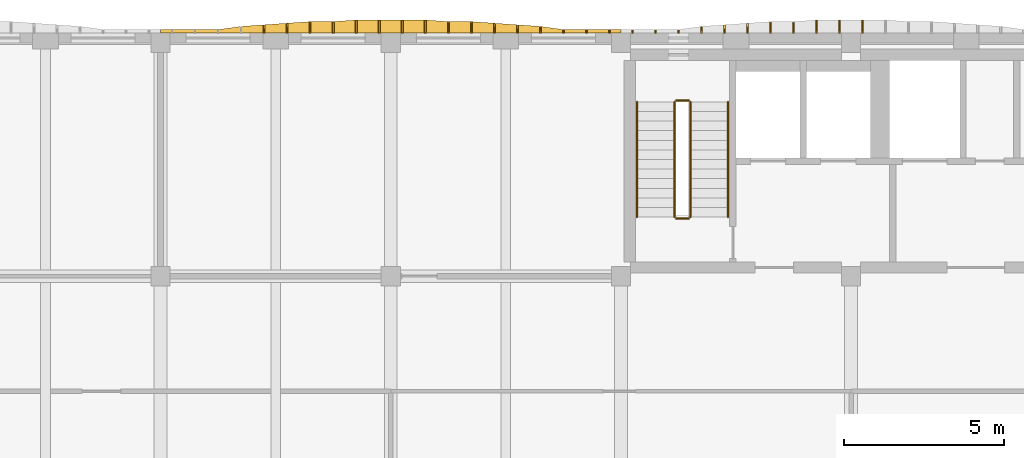
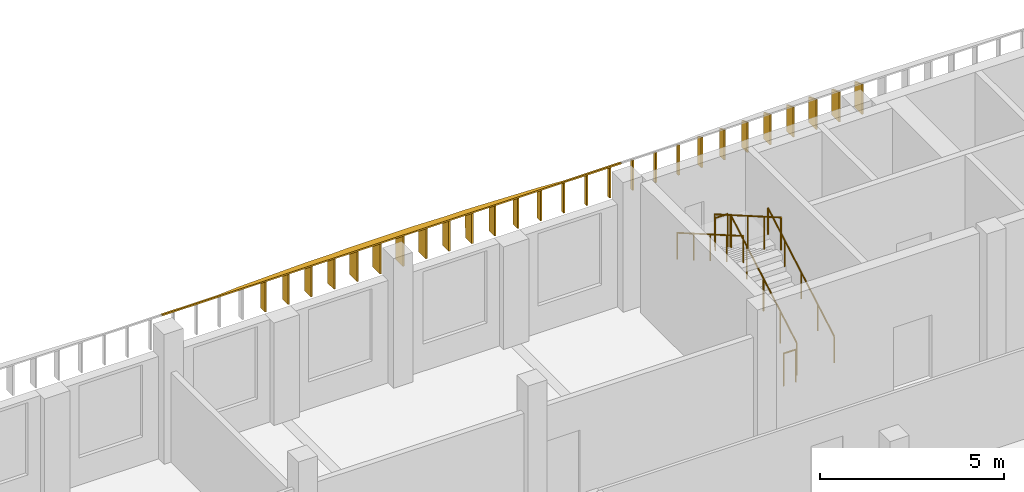
# One storey, part 30 of 38: 28 shading devices, 6 railings.
"""IFC4 building model written with IfcOpenShell, lengths in metres."""

from ifc_helpers import new_model, si_unit, direction, frame, origin, origin_2d, place, context, subcontext, project, spatial, polyline, circle, outline, extrude, material, layer, layer_set, type_object, element, save


model = new_model("IFC4")

# Units and contexts
model_context = context("Model", 3, precision=1e-05, world=origin(), true_north=direction((0.0, 1.0)))
body_context = subcontext(model_context, "Body", "Model", "MODEL_VIEW")
ifc_project = project(units=[si_unit("LENGTHUNIT", "METRE"), si_unit("AREAUNIT", "SQUARE_METRE"), si_unit("VOLUMEUNIT", "CUBIC_METRE"), si_unit("PLANEANGLEUNIT", "RADIAN"), si_unit("MASSUNIT", "GRAM", prefix="KILO")], contexts=[model_context])

# Site, building, storey
site_placement = place(None, origin())
site = spatial("IfcSite", under=ifc_project, at=site_placement, CompositionType="ELEMENT")
building_placement = place(site_placement, origin())
building = spatial("IfcBuilding", under=site, at=building_placement, Name="Ussher Court Research Institute", CompositionType="ELEMENT")
storey_placement = place(building_placement, frame((0.0, 0.0, 23.39990234375)))
storey = spatial("IfcBuildingStorey", under=building, at=storey_placement, Name="L05", CompositionType="ELEMENT", Elevation=23.39990234375)

# Shading devices
ifc_material_1 = material(Name="Bronze anodised aluminium", Category="aluminium")
ifc_layer_1 = layer(ifc_material_1, 0.050048828125)
ifc_layer_set_1 = layer_set([ifc_layer_1], Name="Bronze anodised aluminium")
shading_device_type_1 = type_object("IfcShadingDeviceType", Name="Brim blade 100 mm deep 1000 mm high canted 20 deg dry", PredefinedType="USERDEFINED", material=ifc_layer_set_1)
for number, where, z_axis, x_axis, name in (
    (1, (44.39990234375, 90.800048828125, 3.4501953125), (0.0, 0.0, 1.0), (0.0, 1.0, 0.0), "Brim blade BS17 L05"),
    (2, (45.1201171875, 90.800048828125, 3.4501953125), (0.0, 0.0, 1.0), (0.0, 1.0, 0.0), "Brim blade BS17 L05"),
    (3, (45.840087890625, 90.800048828125, 3.4501953125), (0.0, 0.0, 1.0), (0.0, 1.0, 0.0), "Brim blade BS17 L05"),
    (4, (46.56005859375, 90.800048828125, 3.4501953125), (0.0, 0.0, 1.0), (0.0, 1.0, 0.0), "Brim blade BS17 L05"),
    (5, (47.280029296875, 90.800048828125, 3.4501953125), (0.0, 0.0, 1.0), (0.0, 1.0, 0.0), "Brim blade BS17 L05"),
    (6, (48.0, 90.800048828125, 3.4501953125), (0.0, 0.0, 1.0), (0.0, 1.0, 0.0), "Brim blade BS17 L05"),
):
    element("IfcShadingDevice", number, at=place(storey_placement, frame(where, z_axis=z_axis, x_axis=x_axis)), inside=storey, type_object=shading_device_type_1, Name=name, ObjectType="BLADE", PredefinedType="USERDEFINED", context=body_context, shape_type="SweptSolid", body=[
        extrude(outline(polyline([(0.0, 0.0), (0.099853515625, 0.0), (0.10009765625, 0.963623046875), (0.0, 1.0), (0.0, 0.0)])), frame((0.0, 0.02490234375, 0.0), z_axis=(0.0, -1.0, 0.0), x_axis=(1.0, 0.0, 0.0)), (0.0, 0.0, 1.0), 0.050048828125),
    ])
ifc_material_2 = material(Name="Bronze anodised aluminium", Category="aluminium")
ifc_layer_2 = layer(ifc_material_2, 0.050048828125)
ifc_layer_set_2 = layer_set([ifc_layer_2], Name="Bronze anodised aluminium")
shading_device_type_2 = type_object("IfcShadingDeviceType", Name="Brim blade 200 mm deep 1000 mm high canted 20 deg dry", PredefinedType="USERDEFINED", material=ifc_layer_set_2)
for number, where, z_axis, x_axis, name in (
    (7, (43.679931640625, 90.800048828125, 3.4501953125), (0.0, 0.0, 1.0), (0.0, 1.0, 0.0), "Brim blade BS15 L05"),
    (8, (48.719970703125, 90.800048828125, 3.4501953125), (0.0, 0.0, 1.0), (0.0, 1.0, 0.0), "Brim blade BS15 L05"),
):
    element("IfcShadingDevice", number, at=place(storey_placement, frame(where, z_axis=z_axis, x_axis=x_axis)), inside=storey, type_object=shading_device_type_2, Name=name, ObjectType="BLADE", PredefinedType="USERDEFINED", context=body_context, shape_type="SweptSolid", body=[
        extrude(outline(polyline([(0.0, 0.0), (0.199951171875, 0.0), (0.199951171875, 0.927001953125), (0.0, 1.0), (0.0, 0.0)])), frame((0.0, 0.02490234375, 0.0), z_axis=(0.0, -1.0, 0.0), x_axis=(1.0, 0.0, 0.0)), (0.0, 0.0, 1.0), 0.050048828125),
    ])
ifc_material_3 = material(Name="Bronze anodised aluminium", Category="aluminium")
ifc_layer_3 = layer(ifc_material_3, 0.050048828125)
ifc_layer_set_3 = layer_set([ifc_layer_3], Name="Bronze anodised aluminium")
shading_device_type_3 = type_object("IfcShadingDeviceType", Name="Brim blade 250 mm deep 1000 mm high canted 20 deg dry", PredefinedType="USERDEFINED", material=ifc_layer_set_3)
for number, where, z_axis, x_axis, name in (
    (9, (35.0400390625, 90.800048828125, 3.4501953125), (0.0, 0.0, 1.0), (0.0, 1.0, 0.0), "Brim blade BS14 L05"),
    (10, (42.9599609375, 90.800048828125, 3.4501953125), (0.0, 0.0, 1.0), (0.0, 1.0, 0.0), "Brim blade BS14 L05"),
    (11, (49.43994140625, 90.800048828125, 3.4501953125), (0.0, 0.0, 1.0), (0.0, 1.0, 0.0), "Brim blade BS14 L05"),
):
    element("IfcShadingDevice", number, at=place(storey_placement, frame(where, z_axis=z_axis, x_axis=x_axis)), inside=storey, type_object=shading_device_type_3, Name=name, ObjectType="BLADE", PredefinedType="USERDEFINED", context=body_context, shape_type="SweptSolid", body=[
        extrude(outline(polyline([(0.0, 0.0), (0.25, 0.0), (0.25, 0.908935546875), (0.0, 1.0), (0.0, 0.0)])), frame((0.0, 0.02490234375, 0.0), z_axis=(0.0, -1.0, 0.0), x_axis=(1.0, 0.0, 0.0)), (0.0, 0.0, 1.0), 0.050048828125),
    ])
ifc_material_4 = material(Name="Bronze anodised aluminium", Category="aluminium")
ifc_layer_4 = layer(ifc_material_4, 0.050048828125)
ifc_layer_set_4 = layer_set([ifc_layer_4], Name="Bronze anodised aluminium")
shading_device_type_4 = type_object("IfcShadingDeviceType", Name="Brim blade 300 mm deep 1000 mm high canted 20 deg dry", PredefinedType="USERDEFINED", material=ifc_layer_set_4)
for number, where, z_axis, x_axis, name in (
    (12, (35.760009765625, 90.800048828125, 3.4501953125), (0.0, 0.0, 1.0), (0.0, 1.0, 0.0), "Brim blade BS13 L05"),
    (13, (42.239990234375, 90.800048828125, 3.4501953125), (0.0, 0.0, 1.0), (0.0, 1.0, 0.0), "Brim blade BS13 L05"),
    (14, (50.159912109375, 90.800048828125, 3.4501953125), (0.0, 0.0, 1.0), (0.0, 1.0, 0.0), "Brim blade BS13 L05"),
):
    element("IfcShadingDevice", number, at=place(storey_placement, frame(where, z_axis=z_axis, x_axis=x_axis)), inside=storey, type_object=shading_device_type_4, Name=name, ObjectType="BLADE", PredefinedType="USERDEFINED", context=body_context, shape_type="SweptSolid", body=[
        extrude(outline(polyline([(0.0, 0.0), (0.300048828125, 0.0), (0.300048828125, 0.890625), (0.0, 1.0), (0.0, 0.0)])), frame((0.0, 0.02490234375, 0.0), z_axis=(0.0, -1.0, 0.0), x_axis=(1.0, 0.0, 0.0)), (0.0, 0.0, 1.0), 0.050048828125),
    ])
ifc_material_5 = material(Name="Bronze anodised aluminium", Category="aluminium")
ifc_layer_5 = layer(ifc_material_5, 0.050048828125)
ifc_layer_set_5 = layer_set([ifc_layer_5], Name="Bronze anodised aluminium")
shading_device_type_5 = type_object("IfcShadingDeviceType", Name="Brim blade 350 mm deep 1000 mm high canted 20 deg dry", PredefinedType="USERDEFINED", material=ifc_layer_set_5)
for number, where, z_axis, x_axis, name in (
    (15, (36.47998046875, 90.800048828125, 3.4501953125), (0.0, 0.0, 1.0), (0.0, 1.0, 0.0), "Brim blade BS12 L05"),
    (16, (37.199951171875, 90.800048828125, 3.4501953125), (0.0, 0.0, 1.0), (0.0, 1.0, 0.0), "Brim blade BS12 L05"),
    (17, (40.800048828125, 90.800048828125, 3.4501953125), (0.0, 0.0, 1.0), (0.0, 1.0, 0.0), "Brim blade BS12 L05"),
    (18, (41.52001953125, 90.800048828125, 3.4501953125), (0.0, 0.0, 1.0), (0.0, 1.0, 0.0), "Brim blade BS12 L05"),
    (19, (50.8798828125, 90.800048828125, 3.4501953125), (0.0, 0.0, 1.0), (0.0, 1.0, 0.0), "Brim blade BS12 L05"),
    (20, (51.60009765625, 90.800048828125, 3.4501953125), (0.0, 0.0, 1.0), (0.0, 1.0, 0.0), "Brim blade BS12 L05"),
):
    element("IfcShadingDevice", number, at=place(storey_placement, frame(where, z_axis=z_axis, x_axis=x_axis)), inside=storey, type_object=shading_device_type_5, Name=name, ObjectType="BLADE", PredefinedType="USERDEFINED", context=body_context, shape_type="SweptSolid", body=[
        extrude(outline(polyline([(0.0, 0.0), (0.349853515625, 0.0), (0.35009765625, 0.87255859375), (0.0, 1.0), (0.0, 0.0)])), frame((0.0, 0.02490234375, 0.0), z_axis=(0.0, -1.0, 0.0), x_axis=(1.0, 0.0, 0.0)), (0.0, 0.0, 1.0), 0.050048828125),
    ])
ifc_material_6 = material(Name="Bronze anodised aluminium", Category="aluminium")
ifc_layer_6 = layer(ifc_material_6, 0.050048828125)
ifc_layer_set_6 = layer_set([ifc_layer_6], Name="Bronze anodised aluminium")
shading_device_type_6 = type_object("IfcShadingDeviceType", Name="Brim blade 400 mm deep 1000 mm high canted 20 deg dry", PredefinedType="USERDEFINED", material=ifc_layer_set_6)
for number, where, z_axis, x_axis, name in (
    (21, (37.919921875, 90.800048828125, 3.4501953125), (0.0, 0.0, 1.0), (0.0, 1.0, 0.0), "Brim blade BS11 L05"),
    (22, (38.639892578125, 90.800048828125, 3.4501953125), (0.0, 0.0, 1.0), (0.0, 1.0, 0.0), "Brim blade BS11 L05"),
    (23, (39.360107421875, 90.800048828125, 3.4501953125), (0.0, 0.0, 1.0), (0.0, 1.0, 0.0), "Brim blade BS11 L05"),
    (24, (40.080078125, 90.800048828125, 3.4501953125), (0.0, 0.0, 1.0), (0.0, 1.0, 0.0), "Brim blade BS11 L05"),
    (25, (52.320068359375, 90.800048828125, 3.4501953125), (0.0, 0.0, 1.0), (0.0, 1.0, 0.0), "Brim blade BS11 L05"),
    (26, (53.0400390625, 90.800048828125, 3.4501953125), (0.0, 0.0, 1.0), (0.0, 1.0, 0.0), "Brim blade BS11 L05"),
    (27, (53.760009765625, 90.800048828125, 3.4501953125), (0.0, 0.0, 1.0), (0.0, 1.0, 0.0), "Brim blade BS11 L05"),
):
    element("IfcShadingDevice", number, at=place(storey_placement, frame(where, z_axis=z_axis, x_axis=x_axis)), inside=storey, type_object=shading_device_type_6, Name=name, ObjectType="BLADE", PredefinedType="USERDEFINED", context=body_context, shape_type="SweptSolid", body=[
        extrude(outline(polyline([(0.0, 0.0), (0.39990234375, 0.0), (0.39990234375, 0.854248046875), (0.0, 1.0), (0.0, 0.0)])), frame((0.0, 0.02490234375, 0.0), z_axis=(0.0, -1.0, 0.0), x_axis=(1.0, 0.0, 0.0)), (0.0, 0.0, 1.0), 0.050048828125),
    ])
ifc_material_7 = material(Name="Bronze anodised aluminium", Category="aluminium")
ifc_layer_7 = layer(ifc_material_7, 0.0400390625)
ifc_layer_set_7 = layer_set([ifc_layer_7], Name="Bronze anodised aluminium")
shading_device_type_7 = type_object("IfcShadingDeviceType", Name="Brim visor sheet 40 mm canted 20 deg dry", PredefinedType="USERDEFINED", material=ifc_layer_set_7)
shading_device_placement = place(storey_placement, frame((31.800048828125, 90.813720703125, 4.48779296875), z_axis=(0.0, 0.342255787034, 0.939606820027), x_axis=(1.0, 0.0, 0.0)))
element("IfcShadingDevice", 28, at=shading_device_placement, inside=storey, type_object=shading_device_type_7, Name="Brim visor sheet BR2 L05", ObjectType="BRIM", PredefinedType="USERDEFINED", context=body_context, shape_type="SweptSolid", body=[
    extrude(outline(polyline([(0.0, 0.0), (14.39990234375, 0.0), (14.39990234375, 0.10650266320293991), (14.0400390625, 0.10650266320293991), (13.320068359375, 0.10650266320293991), (12.599853515625, 0.10650266320293991), (11.8798828125, 0.21285948875134061), (11.159912109375, 0.26606904108193236), (10.43994140625, 0.3193621519542805), (9.719970703125, 0.37257170428487224), (9.0, 0.37257170428487224), (8.280029296875, 0.42563541896092477), (7.56005859375, 0.42563541896092477), (6.83984375, 0.42563541896092477), (6.119873046875, 0.42563541896092477), (5.39990234375, 0.37257170428487224), (4.679931640625, 0.37257170428487224), (3.9599609375, 0.3193621519542805), (3.239990234375, 0.26606904108193236), (2.52001953125, 0.21285948875134061), (1.800048828125, 0.10650266320293991), (1.079833984375, 0.10650266320293991), (0.35986328125, 0.10650266320293991), (0.0, 0.10650266320293991), (0.0, 0.0)])), origin(), (0.0, 0.0, -1.0), 0.0400390625),
])

# Railings
ifc_material_8 = material(Name="Painted steel balustrade", Category="steel")
railing_type_1 = type_object("IfcRailingType", Name="Stair guard 1100 steel balustrade", PredefinedType="GUARDRAIL", material=ifc_material_8)
railing_1_placement = place(storey_placement, frame((48.3701171875, 85.050048828125, 0.173095703125)))
element("IfcRailing", 29, at=railing_1_placement, inside=storey, type_object=railing_type_1, Name="L05 D2 stair guard 1", PredefinedType="GUARDRAIL", context=body_context, shape_type="SweptSolid", body=[
    extrude(circle(Radius=0.02392578125, at=origin_2d()), frame((0.0, 0.0, 1.076171875), z_axis=(0.0, 0.866178740119, 0.499734319579), x_axis=(-1.0, 0.0, 0.0)), (0.0, 0.0, 1.0), 4.156005859375),
    extrude(circle(Radius=0.02099609375, at=origin_2d()), origin(), (0.0, 0.0, 1.0), 1.052001953125),
    extrude(circle(Radius=0.02099609375, at=origin_2d()), frame((0.0, 0.89990234375, 0.519287109375)), (0.0, 0.0, 1.0), 1.052001953125),
    extrude(circle(Radius=0.02099609375, at=origin_2d()), frame((0.0, 1.7998046875, 1.03857421875)), (0.0, 0.0, 1.0), 1.052001953125),
    extrude(circle(Radius=0.02099609375, at=origin_2d()), frame((0.0, 2.699951171875, 1.5576171875)), (0.0, 0.0, 1.0), 1.052001953125),
    extrude(circle(Radius=0.02099609375, at=origin_2d()), frame((0.0, 3.599853515625, 2.076904296875)), (0.0, 0.0, 1.0), 1.052001953125),
])
railing_2_placement = place(storey_placement, frame((48.320068359375, 88.699951171875, 2.25)))
element("IfcRailing", 30, at=railing_2_placement, inside=storey, type_object=railing_type_1, Name="L05 D2 stair guard 2", PredefinedType="GUARDRAIL", context=body_context, shape_type="SweptSolid", body=[
    extrude(circle(Radius=0.02392578125, at=origin_2d()), frame((0.0, 0.0, 1.076171875), z_axis=(-1.0, 0.0, 0.0), x_axis=(0.0, -1.0, 0.0)), (0.0, 0.0, 1.0), 0.39013671875),
    extrude(circle(Radius=0.02099609375, at=origin_2d()), origin(), (0.0, 0.0, 1.0), 1.052001953125),
    extrude(circle(Radius=0.02099609375, at=origin_2d()), frame((-0.39013671875, 0.0, 0.0)), (0.0, 0.0, 1.0), 1.052001953125),
])
railing_3_placement = place(storey_placement, frame((47.8798828125, 88.64990234375, 2.423095703125)))
element("IfcRailing", 31, at=railing_3_placement, inside=storey, type_object=railing_type_1, Name="L05 D2 stair guard 3", PredefinedType="GUARDRAIL", context=body_context, shape_type="SweptSolid", body=[
    extrude(circle(Radius=0.02392578125, at=origin_2d()), frame((0.0, 0.0, 1.076171875), z_axis=(0.0, -0.866178740119, 0.499734319579), x_axis=(1.0, 0.0, 0.0)), (0.0, 0.0, 1.0), 4.156005859375),
    extrude(circle(Radius=0.02099609375, at=origin_2d()), origin(), (0.0, 0.0, 1.0), 1.052001953125),
    extrude(circle(Radius=0.02099609375, at=origin_2d()), frame((0.0, -0.89990234375, 0.519287109375)), (0.0, 0.0, 1.0), 1.052001953125),
    extrude(circle(Radius=0.02099609375, at=origin_2d()), frame((0.0, -1.7998046875, 1.03857421875)), (0.0, 0.0, 1.0), 1.052001953125),
    extrude(circle(Radius=0.02099609375, at=origin_2d()), frame((0.0, -2.699951171875, 1.5576171875)), (0.0, 0.0, 1.0), 1.052001953125),
    extrude(circle(Radius=0.02099609375, at=origin_2d()), frame((0.0, -3.599853515625, 2.076904296875)), (0.0, 0.0, 1.0), 1.052001953125),
])
railing_4_placement = place(storey_placement, frame((48.320068359375, 85.0, 0.0)))
element("IfcRailing", 32, at=railing_4_placement, inside=storey, type_object=railing_type_1, Name="L05 D2 stair guard 4", PredefinedType="GUARDRAIL", context=body_context, shape_type="SweptSolid", body=[
    extrude(circle(Radius=0.02392578125, at=origin_2d()), frame((0.0, 0.0, 1.076171875), z_axis=(-1.0, 0.0, 0.0), x_axis=(0.0, -1.0, 0.0)), (0.0, 0.0, 1.0), 0.39013671875),
    extrude(circle(Radius=0.02099609375, at=origin_2d()), origin(), (0.0, 0.0, 1.0), 1.052001953125),
    extrude(circle(Radius=0.02099609375, at=origin_2d()), frame((-0.39013671875, 0.0, 0.0)), (0.0, 0.0, 1.0), 1.052001953125),
])
ifc_material_9 = material(Name="Painted steel handrail", Category="steel")
railing_type_2 = type_object("IfcRailingType", Name="Stair handrail 900 steel", PredefinedType="HANDRAIL", material=ifc_material_9)
railing_5_placement = place(storey_placement, frame((49.550048828125, 85.050048828125, 0.173095703125)))
element("IfcRailing", 33, at=railing_5_placement, inside=storey, type_object=railing_type_2, Name="L05 D2 stair handrail 1", PredefinedType="HANDRAIL", context=body_context, shape_type="SweptSolid", body=[
    extrude(circle(Radius=0.02392578125, at=origin_2d()), frame((0.0, 0.0, 0.8759765625), z_axis=(0.0, 0.866178740119, 0.499734319579), x_axis=(-1.0, 0.0, 0.0)), (0.0, 0.0, 1.0), 4.156005859375),
    extrude(circle(Radius=0.02099609375, at=origin_2d()), origin(), (0.0, 0.0, 1.0), 0.851806640625),
    extrude(circle(Radius=0.02099609375, at=origin_2d()), frame((0.0, 0.89990234375, 0.519287109375)), (0.0, 0.0, 1.0), 0.851806640625),
    extrude(circle(Radius=0.02099609375, at=origin_2d()), frame((0.0, 1.7998046875, 1.03857421875)), (0.0, 0.0, 1.0), 0.851806640625),
    extrude(circle(Radius=0.02099609375, at=origin_2d()), frame((0.0, 2.699951171875, 1.5576171875)), (0.0, 0.0, 1.0), 0.851806640625),
    extrude(circle(Radius=0.02099609375, at=origin_2d()), frame((0.0, 3.599853515625, 2.076904296875)), (0.0, 0.0, 1.0), 0.851806640625),
])
railing_6_placement = place(storey_placement, frame((46.699951171875, 88.64990234375, 2.423095703125)))
element("IfcRailing", 34, at=railing_6_placement, inside=storey, type_object=railing_type_2, Name="L05 D2 stair handrail 2", PredefinedType="HANDRAIL", context=body_context, shape_type="SweptSolid", body=[
    extrude(circle(Radius=0.02392578125, at=origin_2d()), frame((0.0, 0.0, 0.8759765625), z_axis=(0.0, -0.866178740119, 0.499734319579), x_axis=(1.0, 0.0, 0.0)), (0.0, 0.0, 1.0), 4.156005859375),
    extrude(circle(Radius=0.02099609375, at=origin_2d()), origin(), (0.0, 0.0, 1.0), 0.851806640625),
    extrude(circle(Radius=0.02099609375, at=origin_2d()), frame((0.0, -0.89990234375, 0.519287109375)), (0.0, 0.0, 1.0), 0.851806640625),
    extrude(circle(Radius=0.02099609375, at=origin_2d()), frame((0.0, -1.7998046875, 1.03857421875)), (0.0, 0.0, 1.0), 0.851806640625),
    extrude(circle(Radius=0.02099609375, at=origin_2d()), frame((0.0, -2.699951171875, 1.5576171875)), (0.0, 0.0, 1.0), 0.851806640625),
    extrude(circle(Radius=0.02099609375, at=origin_2d()), frame((0.0, -3.599853515625, 2.076904296875)), (0.0, 0.0, 1.0), 0.851806640625),
])

save(model, "model.ifc")
